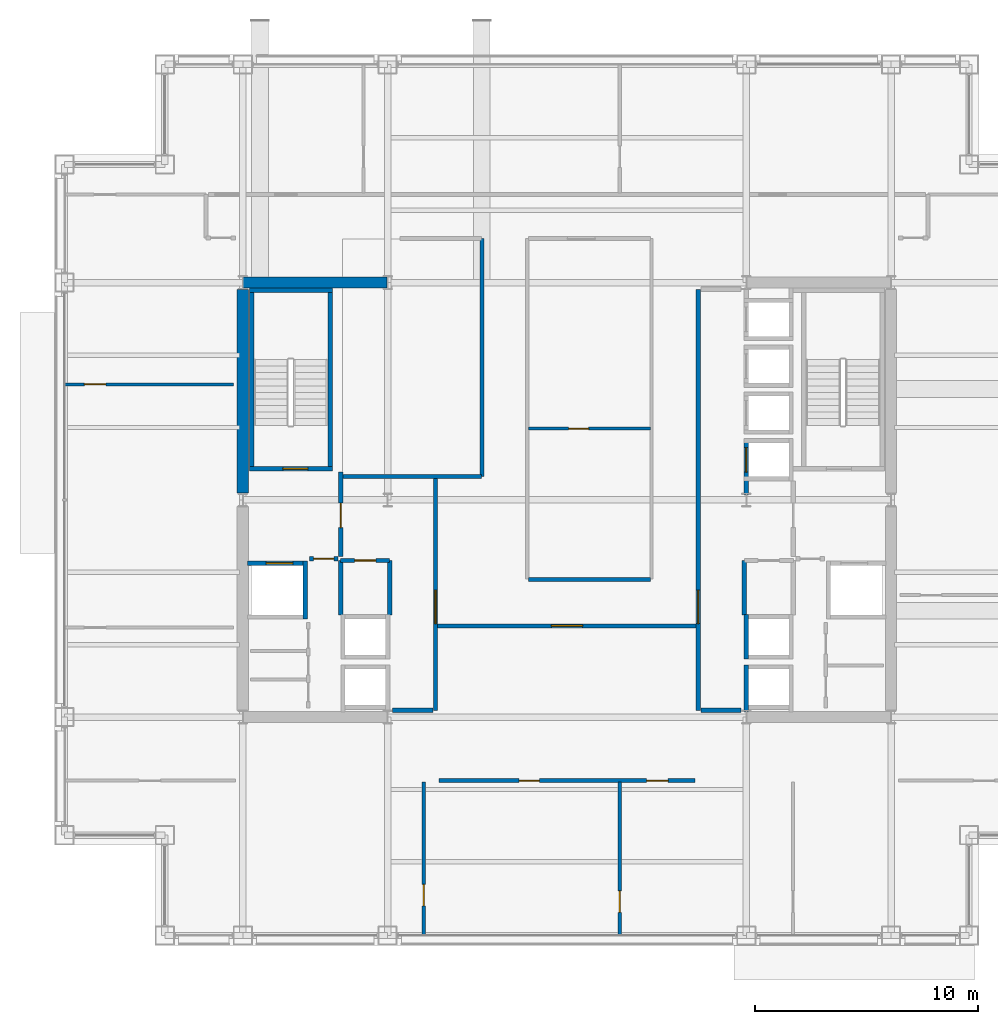
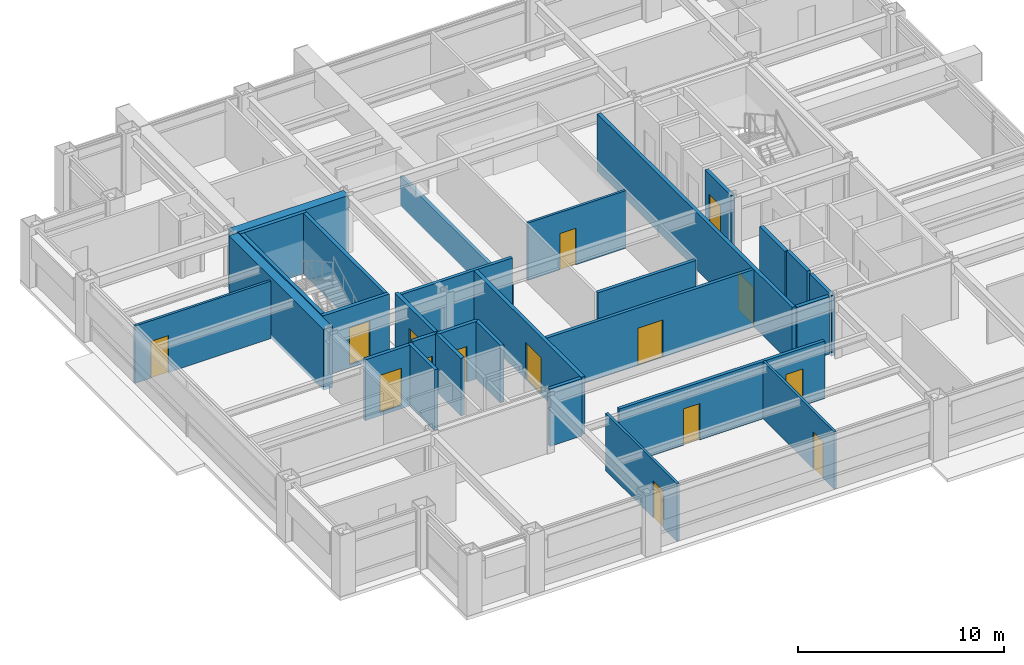
# One storey, part 31 of 34: 30 walls, 15 doors, 15 openings.
"""IFC4 building model written with IfcOpenShell, lengths in metres."""

from ifc_helpers import new_model, si_unit, direction, frame, frame_2d, origin, place, context, subcontext, project, spatial, rectangle, extrude, material, layer, layer_set, type_object, element, fill, save


model = new_model("IFC4")

# Units and contexts
model_context = context("Model", 3, precision=1e-05, world=origin(), true_north=direction((0.0, 1.0)))
body_context = subcontext(model_context, "Body", "Model", "MODEL_VIEW")
ifc_project = project(units=[si_unit("LENGTHUNIT", "METRE"), si_unit("AREAUNIT", "SQUARE_METRE"), si_unit("VOLUMEUNIT", "CUBIC_METRE"), si_unit("PLANEANGLEUNIT", "RADIAN"), si_unit("MASSUNIT", "GRAM", prefix="KILO")], contexts=[model_context])

# Site, building, storey
site_placement = place(None, origin())
site = spatial("IfcSite", under=ifc_project, at=site_placement, CompositionType="ELEMENT")
building_placement = place(site_placement, origin())
building = spatial("IfcBuilding", under=site, at=building_placement, Name="Brelmoor Portico Tower", CompositionType="ELEMENT")
storey_placement = place(building_placement, frame((0.0, 0.0, 117.0)))
storey = spatial("IfcBuildingStorey", under=building, at=storey_placement, Name="L30", CompositionType="ELEMENT", Elevation=117.0)

# Walls
ifc_material_1 = material(Name="Concrete C60", Category="concrete")
ifc_layer_1 = layer(ifc_material_1, 0.5)
ifc_layer_set_1 = layer_set([ifc_layer_1], Name="Concrete C60")
wall_type_1 = type_object("IfcWallType", Name="WL-CORE-500", PredefinedType="SHEAR", material=ifc_layer_set_1)
wall_1_placement = place(storey_placement, frame((-14.530029296875, 9.75, -0.199951171875), z_axis=(0.0, 0.0, 1.0), x_axis=(1.0, 0.0, 0.0)))
element("IfcWall", 1, at=wall_1_placement, inside=storey, type_object=wall_type_1, Name="L30 WC North Shear Wall", PredefinedType="SHEAR", context=body_context, shape_type="SweptSolid", body=[
    extrude(rectangle(XDim=6.4599609375, YDim=0.5, at=frame_2d((3.22998046875, 0.0))), origin(), (0.0, 0.0, 1.0), 3.599853515625),
])
wall_2_placement = place(storey_placement, frame((-14.550048828125, 0.300048828125, -0.199951171875), z_axis=(0.0, 0.0, 1.0), x_axis=(0.0, 1.0, 0.0)))
element("IfcWall", 2, at=wall_2_placement, inside=storey, type_object=wall_type_1, Name="L30 WC Outer North Shear Wall", PredefinedType="SHEAR", context=body_context, shape_type="SweptSolid", body=[
    extrude(rectangle(XDim=9.14990234375, YDim=0.5, at=frame_2d((4.574951171875, 0.0))), origin(), (0.0, 0.0, 1.0), 3.599853515625),
])

# Wall, opening, door
ifc_material_2 = material(Name="Insulated Stud Suite Partition", Category="gypsum")
ifc_layer_2 = layer(ifc_material_2, 0.139892578125)
ifc_layer_set_2 = layer_set([ifc_layer_2], Name="Insulated Stud Suite Partition")
wall_type_2 = type_object("IfcWallType", Name="WL-PART-140", PredefinedType="PARTITIONING", material=ifc_layer_set_2)
wall_3_placement = place(storey_placement, frame((-1.72998046875, 3.199951171875, 0.0), z_axis=(0.0, 0.0, 1.0), x_axis=(1.0, 0.0, 0.0)))
wall_3 = element("IfcWall", 3, at=wall_3_placement, inside=storey, type_object=wall_type_2, Name="L30 Central Pantry Divider", PredefinedType="PARTITIONING", context=body_context, shape_type="SweptSolid", body=[
    extrude(rectangle(XDim=5.47998046875, YDim=0.139892578125, at=frame_2d((2.739990234375, 0.0))), origin(), (0.0, 0.0, 1.0), 3.39990234375),
])
opening_1_placement = place(wall_3_placement, frame((1.800048828125, 0.0, 0.0)))
opening_1 = element("IfcOpeningElement", 4, at=opening_1_placement, cuts=wall_3, Name="Opening D-IN1", PredefinedType="OPENING", context=body_context, shape_type="SweptSolid", body=[
    extrude(rectangle(XDim=0.89990234375, YDim=2.14990234375, at=frame_2d((0.449951171875, 1.074951171875))), frame((0.0, 0.079833984375, 0.0), z_axis=(0.0, -1.0, 0.0), x_axis=(1.0, 0.0, 0.0)), (0.0, 0.0, 1.0), 0.159912109375),
])
ifc_material_3 = material(Name="Lacquered Timber Suite Door", Category="wood")
door_type_1 = type_object("IfcDoorType", Name="DR-INT-900", OperationType="NOTDEFINED", PredefinedType="DOOR", material=ifc_material_3)
door_1_placement = place(opening_1_placement, origin())
door_1 = element("IfcDoor", 5, at=door_1_placement, inside=storey, type_object=door_type_1, Name="D-1311 L30 Central Pantry Connecting Door", OperationType="SINGLE_SWING_RIGHT", OverallHeight=2.14990234375, OverallWidth=0.89990234375, PredefinedType="DOOR", context=body_context, shape_type="SweptSolid", body=[
    extrude(rectangle(XDim=0.89990234375, YDim=2.14990234375, at=frame_2d((0.449951171875, 1.074951171875))), frame((0.0, 0.02490234375, 0.0), z_axis=(0.0, -1.0, 0.0), x_axis=(1.0, 0.0, 0.0)), (0.0, 0.0, 1.0), 0.050048828125),
])
fill(opening_1, door_1)

wall_4_placement = place(storey_placement, frame((-6.42578125, -19.56005859375, 0.0), z_axis=(0.0, 0.0, 1.0), x_axis=(0.0, 1.0, 0.0)))
wall_4 = element("IfcWall", 6, at=wall_4_placement, inside=storey, type_object=wall_type_2, Name="L30 South Suite Partition 1", PredefinedType="PARTITIONING", context=body_context, shape_type="SweptSolid", body=[
    extrude(rectangle(XDim=6.900146484375, YDim=0.139892578125, at=frame_2d((3.4501953125, 0.0))), origin(), (0.0, 0.0, 1.0), 3.39990234375),
])
opening_2_placement = place(wall_4_placement, frame((1.340087890625, 0.0, 0.0)))
opening_2 = element("IfcOpeningElement", 7, at=opening_2_placement, cuts=wall_4, Name="Opening D-IN2", PredefinedType="OPENING", context=body_context, shape_type="SweptSolid", body=[
    extrude(rectangle(XDim=0.9599609375, YDim=2.179931640625, at=frame_2d((0.47998046875, 1.08984375))), frame((0.0, 0.079833984375, 0.0), z_axis=(0.0, -1.0, 0.0), x_axis=(1.0, 0.0, 0.0)), (0.0, 0.0, 1.0), 0.159912109375),
])
door_type_2 = type_object("IfcDoorType", Name="DR-INT-950", OperationType="NOTDEFINED", PredefinedType="DOOR", material=ifc_material_3)
door_2_placement = place(opening_2_placement, origin())
door_2 = element("IfcDoor", 8, at=door_2_placement, inside=storey, type_object=door_type_2, Name="D-1335 L30 South Suite Connecting Door 1", OperationType="SINGLE_SWING_LEFT", OverallHeight=2.179931640625, OverallWidth=0.9599609375, PredefinedType="DOOR", context=body_context, shape_type="SweptSolid", body=[
    extrude(rectangle(XDim=0.9599609375, YDim=2.179931640625, at=frame_2d((0.47998046875, 1.08984375))), frame((0.0, 0.02490234375, 0.0), z_axis=(0.0, -1.0, 0.0), x_axis=(1.0, 0.0, 0.0)), (0.0, 0.0, 1.0), 0.050048828125),
])
fill(opening_2, door_2)

wall_5_placement = place(storey_placement, frame((2.367431640625, -19.56005859375, 0.0), z_axis=(0.0, 0.0, 1.0), x_axis=(0.0, 1.0, 0.0)))
wall_5 = element("IfcWall", 9, at=wall_5_placement, inside=storey, type_object=wall_type_2, Name="L30 South Suite Partition 2", PredefinedType="PARTITIONING", context=body_context, shape_type="SweptSolid", body=[
    extrude(rectangle(XDim=6.900146484375, YDim=0.139892578125, at=frame_2d((3.4501953125, 0.0))), origin(), (0.0, 0.0, 1.0), 3.39990234375),
])
opening_3_placement = place(wall_5_placement, frame((1.050048828125, 0.0, 0.0)))
opening_3 = element("IfcOpeningElement", 10, at=opening_3_placement, cuts=wall_5, Name="Opening D-IN2", PredefinedType="OPENING", context=body_context, shape_type="SweptSolid", body=[
    extrude(rectangle(XDim=0.9599609375, YDim=2.179931640625, at=frame_2d((0.47998046875, 1.08984375))), frame((0.0, 0.079833984375, 0.0), z_axis=(0.0, -1.0, 0.0), x_axis=(1.0, 0.0, 0.0)), (0.0, 0.0, 1.0), 0.159912109375),
])
door_3_placement = place(opening_3_placement, origin())
door_3 = element("IfcDoor", 11, at=door_3_placement, inside=storey, type_object=door_type_2, Name="D-1336 L30 South Suite Connecting Door 2", OperationType="SINGLE_SWING_RIGHT", OverallHeight=2.179931640625, OverallWidth=0.9599609375, PredefinedType="DOOR", context=body_context, shape_type="SweptSolid", body=[
    extrude(rectangle(XDim=0.9599609375, YDim=2.179931640625, at=frame_2d((0.47998046875, 1.08984375))), frame((0.0, 0.02490234375, 0.0), z_axis=(0.0, -1.0, 0.0), x_axis=(1.0, 0.0, 0.0)), (0.0, 0.0, 1.0), 0.050048828125),
])
fill(opening_3, door_3)

wall_6_placement = place(storey_placement, frame((-22.56005859375, 5.1826171875, 0.0), z_axis=(0.0, 0.0, 1.0), x_axis=(1.0, 0.0, 0.0)))
wall_6 = element("IfcWall", 12, at=wall_6_placement, inside=storey, type_object=wall_type_2, Name="L30 W Wing Partition 2", PredefinedType="PARTITIONING", context=body_context, shape_type="SweptSolid", body=[
    extrude(rectangle(XDim=7.60009765625, YDim=0.139892578125, at=frame_2d((3.800048828125, 0.0))), origin(), (0.0, 0.0, 1.0), 3.39990234375),
])
opening_4_placement = place(wall_6_placement, frame((0.89990234375, 0.0, 0.0)))
opening_4 = element("IfcOpeningElement", 13, at=opening_4_placement, cuts=wall_6, Name="Opening D-IN2", PredefinedType="OPENING", context=body_context, shape_type="SweptSolid", body=[
    extrude(rectangle(XDim=0.9599609375, YDim=2.179931640625, at=frame_2d((0.47998046875, 1.08984375))), frame((0.0, 0.079833984375, 0.0), z_axis=(0.0, -1.0, 0.0), x_axis=(1.0, 0.0, 0.0)), (0.0, 0.0, 1.0), 0.159912109375),
])
door_4_placement = place(opening_4_placement, origin())
door_4 = element("IfcDoor", 14, at=door_4_placement, inside=storey, type_object=door_type_2, Name="D-1346 L30 W Wing Suite Connecting Door 2", OperationType="SINGLE_SWING_RIGHT", OverallHeight=2.179931640625, OverallWidth=0.9599609375, PredefinedType="DOOR", context=body_context, shape_type="SweptSolid", body=[
    extrude(rectangle(XDim=0.9599609375, YDim=2.179931640625, at=frame_2d((0.47998046875, 1.08984375))), frame((0.0, 0.02490234375, 0.0), z_axis=(0.0, -1.0, 0.0), x_axis=(1.0, 0.0, 0.0)), (0.0, 0.0, 1.0), 0.050048828125),
])
fill(opening_4, door_4)

# Walls
ifc_material_4 = material(Name="Acoustic Corridor Fire Partition", Category="gypsum")
ifc_layer_3 = layer(ifc_material_4, 0.179931640625)
ifc_layer_set_3 = layer_set([ifc_layer_3], Name="Acoustic Corridor Fire Partition")
wall_type_3 = type_object("IfcWallType", Name="WL-PART-180", PredefinedType="PARTITIONING", material=ifc_layer_set_3)
wall_7_placement = place(storey_placement, frame((-10.050048828125, 1.050048828125, 0.0), z_axis=(0.0, 0.0, 1.0), x_axis=(1.0, 0.0, 0.0)))
element("IfcWall", 15, at=wall_7_placement, inside=storey, type_object=wall_type_3, Name="L30 Reclaimed West Suite South Wall", PredefinedType="PARTITIONING", context=body_context, shape_type="SweptSolid", body=[
    extrude(rectangle(XDim=6.2099609375, YDim=0.179931640625, at=frame_2d((3.10498046875, 0.0))), origin(), (0.0, 0.0, 1.0), 3.39990234375),
])
wall_8_placement = place(storey_placement, frame((-3.820068359375, 1.050048828125, 0.0), z_axis=(0.0, 0.0, 1.0), x_axis=(0.0, 1.0, 0.0)))
element("IfcWall", 16, at=wall_8_placement, inside=storey, type_object=wall_type_3, Name="L30 Reclaimed West Suite East Wall", PredefinedType="PARTITIONING", context=body_context, shape_type="SweptSolid", body=[
    extrude(rectangle(XDim=10.679931640625, YDim=0.179931640625, at=frame_2d((5.33984375, 0.0))), origin(), (0.0, 0.0, 1.0), 1.739990234375),
])
wall_9_placement = place(storey_placement, frame((-1.72998046875, -3.580078125, 0.0), z_axis=(0.0, 0.0, 1.0), x_axis=(1.0, 0.0, 0.0)))
element("IfcWall", 17, at=wall_9_placement, inside=storey, type_object=wall_type_3, Name="L30 Central Studio South Wall", PredefinedType="PARTITIONING", context=body_context, shape_type="SweptSolid", body=[
    extrude(rectangle(XDim=5.47998046875, YDim=0.179931640625, at=frame_2d((2.739990234375, 0.0))), origin(), (0.0, 0.0, 1.0), 3.39990234375),
])

# Wall, opening, door
wall_10_placement = place(storey_placement, frame((-5.800048828125, -5.64990234375, 0.0), z_axis=(0.0, 0.0, 1.0), x_axis=(1.0, 0.0, 0.0)))
wall_10 = element("IfcWall", 18, at=wall_10_placement, inside=storey, type_object=wall_type_3, Name="L30 South Hub Corridor Wall", PredefinedType="PARTITIONING", context=body_context, shape_type="SweptSolid", body=[
    extrude(rectangle(XDim=11.60009765625, YDim=0.179931640625, at=frame_2d((5.800048828125, 0.0))), origin(), (0.0, 0.0, 1.0), 3.39990234375),
])
opening_5_placement = place(wall_10_placement, frame((5.10009765625, 0.0, 0.0)))
opening_5 = element("IfcOpeningElement", 19, at=opening_5_placement, cuts=wall_10, Name="Opening D-SU2", PredefinedType="OPENING", context=body_context, shape_type="SweptSolid", body=[
    extrude(rectangle(XDim=1.39990234375, YDim=2.199951171875, at=frame_2d((0.699951171875, 1.10009765625))), frame((0.0, 0.099853515625, 0.0), z_axis=(0.0, -1.0, 0.0), x_axis=(1.0, 0.0, 0.0)), (0.0, 0.0, 1.0), 0.199951171875),
])
ifc_material_5 = material(Name="Double-Leaf Acoustic Suite Door", Category="timber")
door_type_3 = type_object("IfcDoorType", Name="DR-SUITE-1400", OperationType="NOTDEFINED", PredefinedType="DOOR", material=ifc_material_5)
door_5_placement = place(opening_5_placement, origin())
door_5 = element("IfcDoor", 20, at=door_5_placement, inside=storey, type_object=door_type_3, Name="D-1310 L30 South Reception Hub Door", OperationType="DOUBLE_DOOR_SINGLE_SWING", OverallHeight=2.199951171875, OverallWidth=1.39990234375, PredefinedType="DOOR", context=body_context, shape_type="SweptSolid", body=[
    extrude(rectangle(XDim=1.39990234375, YDim=2.199951171875, at=frame_2d((0.699951171875, 1.10009765625))), frame((0.0, 0.02490234375, 0.0), z_axis=(0.0, -1.0, 0.0), x_axis=(1.0, 0.0, 0.0)), (0.0, 0.0, 1.0), 0.050048828125),
])
fill(opening_5, door_5)

# Wall, openings, doors
wall_11_placement = place(storey_placement, frame((-5.75, -12.60009765625, 0.0), z_axis=(0.0, 0.0, 1.0), x_axis=(1.0, 0.0, 0.0)))
wall_11 = element("IfcWall", 21, at=wall_11_placement, inside=storey, type_object=wall_type_3, Name="L30 South Corridor Partition", PredefinedType="PARTITIONING", context=body_context, shape_type="SweptSolid", body=[
    extrude(rectangle(XDim=11.5, YDim=0.179931640625, at=frame_2d((5.75, 0.0))), origin(), (0.0, 0.0, 1.0), 3.39990234375),
])
opening_6_placement = place(wall_11_placement, frame((3.608642578125, 0.0, 0.0)))
opening_6 = element("IfcOpeningElement", 22, at=opening_6_placement, cuts=wall_11, Name="Opening D-IN1", PredefinedType="OPENING", context=body_context, shape_type="SweptSolid", body=[
    extrude(rectangle(XDim=0.89990234375, YDim=2.14990234375, at=frame_2d((0.449951171875, 1.074951171875))), frame((0.0, 0.099853515625, 0.0), z_axis=(0.0, -1.0, 0.0), x_axis=(1.0, 0.0, 0.0)), (0.0, 0.0, 1.0), 0.199951171875),
])
opening_7_placement = place(wall_11_placement, frame((9.32861328125, 0.0, 0.0)))
opening_7 = element("IfcOpeningElement", 23, at=opening_7_placement, cuts=wall_11, Name="Opening D-IN2", PredefinedType="OPENING", context=body_context, shape_type="SweptSolid", body=[
    extrude(rectangle(XDim=0.9599609375, YDim=2.179931640625, at=frame_2d((0.47998046875, 1.08984375))), frame((0.0, 0.099853515625, 0.0), z_axis=(0.0, -1.0, 0.0), x_axis=(1.0, 0.0, 0.0)), (0.0, 0.0, 1.0), 0.199951171875),
])
door_6_placement = place(opening_6_placement, origin())
door_6 = element("IfcDoor", 24, at=door_6_placement, inside=storey, type_object=door_type_1, Name="D-1333 L30 South Project Consultation Room 2 Door", OperationType="SINGLE_SWING_RIGHT", OverallHeight=2.14990234375, OverallWidth=0.89990234375, PredefinedType="DOOR", context=body_context, shape_type="SweptSolid", body=[
    extrude(rectangle(XDim=0.89990234375, YDim=2.14990234375, at=frame_2d((0.449951171875, 1.074951171875))), frame((0.0, 0.02490234375, 0.0), z_axis=(0.0, -1.0, 0.0), x_axis=(1.0, 0.0, 0.0)), (0.0, 0.0, 1.0), 0.050048828125),
])
fill(opening_6, door_6)
door_7_placement = place(opening_7_placement, origin())
door_7 = element("IfcDoor", 25, at=door_7_placement, inside=storey, type_object=door_type_2, Name="D-1334 L30 South Open-Plan Office 3 Door", OperationType="SINGLE_SWING_LEFT", OverallHeight=2.179931640625, OverallWidth=0.9599609375, PredefinedType="DOOR", context=body_context, shape_type="SweptSolid", body=[
    extrude(rectangle(XDim=0.9599609375, YDim=2.179931640625, at=frame_2d((0.47998046875, 1.08984375))), frame((0.0, 0.02490234375, 0.0), z_axis=(0.0, -1.0, 0.0), x_axis=(1.0, 0.0, 0.0)), (0.0, 0.0, 1.0), 0.050048828125),
])
fill(opening_7, door_7)

# Wall, opening, door
ifc_material_6 = material(Name="Double-Stud Gypsum Fire Partition", Category="gypsum")
ifc_layer_4 = layer(ifc_material_6, 0.199951171875)
ifc_layer_set_4 = layer_set([ifc_layer_4], Name="Double-Stud Gypsum Fire Partition")
wall_type_4 = type_object("IfcWallType", Name="WL-PART-200", PredefinedType="PARTITIONING", material=ifc_layer_set_4)
wall_12_placement = place(storey_placement, frame((-5.89990234375, -9.449951171875, 0.0), z_axis=(0.0, 0.0, 1.0), x_axis=(0.0, 1.0, 0.0)))
wall_12 = element("IfcWall", 26, at=wall_12_placement, inside=storey, type_object=wall_type_4, Name="L30 W Core Lobby Compartment Wall", PredefinedType="PARTITIONING", context=body_context, shape_type="SweptSolid", body=[
    extrude(rectangle(XDim=10.5, YDim=0.199951171875, at=frame_2d((5.25, 0.0))), origin(), (0.0, 0.0, 1.0), 3.39990234375),
])
opening_8_placement = place(wall_12_placement, frame((3.89990234375, 0.0, 0.0)))
opening_8 = element("IfcOpeningElement", 27, at=opening_8_placement, cuts=wall_12, Name="Opening D-LB1", PredefinedType="OPENING", context=body_context, shape_type="SweptSolid", body=[
    extrude(rectangle(XDim=1.5, YDim=2.199951171875, at=frame_2d((0.75, 1.10009765625))), frame((0.0, 0.10986328125, 0.0), z_axis=(0.0, -1.0, 0.0), x_axis=(1.0, 0.0, 0.0)), (0.0, 0.0, 1.0), 0.219970703125),
])
ifc_material_7 = material(Name="Double-Leaf Glazed Steel Fire Door", Category="steel")
door_type_4 = type_object("IfcDoorType", Name="DR-LOBBY-1500", OperationType="NOTDEFINED", PredefinedType="DOOR", material=ifc_material_7)
door_8_placement = place(opening_8_placement, origin())
door_8 = element("IfcDoor", 28, at=door_8_placement, inside=storey, type_object=door_type_4, Name="D-1325 L30 W Lift Lobby Main Door", OperationType="DOUBLE_DOOR_SINGLE_SWING", OverallHeight=2.199951171875, OverallWidth=1.5, PredefinedType="DOOR", context=body_context, shape_type="SweptSolid", body=[
    extrude(rectangle(XDim=1.5, YDim=2.199951171875, at=frame_2d((0.75, 1.10009765625))), frame((0.0, 0.02490234375, 0.0), z_axis=(0.0, -1.0, 0.0), x_axis=(1.0, 0.0, 0.0)), (0.0, 0.0, 1.0), 0.050048828125),
])
fill(opening_8, door_8)

# Wall
wall_13_placement = place(storey_placement, frame((-6.02001953125, -9.449951171875, 0.0), z_axis=(0.0, 0.0, 1.0), x_axis=(-1.0, 0.0, 0.0)))
element("IfcWall", 29, at=wall_13_placement, inside=storey, type_object=wall_type_4, Name="L30 W Lift Lobby South End Wall", PredefinedType="PARTITIONING", context=body_context, shape_type="SweptSolid", body=[
    extrude(rectangle(XDim=1.800048828125, YDim=0.199951171875, at=frame_2d((0.89990234375, 0.0))), origin(), (0.0, 0.0, 1.0), 3.39990234375),
])

# Wall, opening, door
wall_14_placement = place(storey_placement, frame((-10.159912109375, -2.550048828125, 0.0), z_axis=(0.0, 0.0, 1.0), x_axis=(0.0, 1.0, 0.0)))
wall_14 = element("IfcWall", 30, at=wall_14_placement, inside=storey, type_object=wall_type_4, Name="L30 W Firefighting Lobby Wall", PredefinedType="PARTITIONING", context=body_context, shape_type="SweptSolid", body=[
    extrude(rectangle(XDim=3.800048828125, YDim=0.199951171875, at=frame_2d((1.89990234375, 0.0))), origin(), (0.0, 0.0, 1.0), 3.39990234375),
])
opening_9_placement = place(wall_14_placement, frame((1.300048828125, 0.0, 0.0)))
opening_9 = element("IfcOpeningElement", 31, at=opening_9_placement, cuts=wall_14, Name="Opening D-FR1", PredefinedType="OPENING", context=body_context, shape_type="SweptSolid", body=[
    extrude(rectangle(XDim=1.10009765625, YDim=2.14990234375, at=frame_2d((0.550048828125, 1.074951171875))), frame((0.0, 0.10986328125, 0.0), z_axis=(0.0, -1.0, 0.0), x_axis=(1.0, 0.0, 0.0)), (0.0, 0.0, 1.0), 0.219970703125),
])
ifc_material_8 = material(Name="Painted Galvanised Steel Fire Door", Category="steel")
door_type_5 = type_object("IfcDoorType", Name="DR-FIRE-1100", OperationType="NOTDEFINED", PredefinedType="DOOR", material=ifc_material_8)
door_9_placement = place(opening_9_placement, origin())
door_9 = element("IfcDoor", 32, at=door_9_placement, inside=storey, type_object=door_type_5, Name="D-1323 L30 W Firefighting Lobby Door", OperationType="SINGLE_SWING_LEFT", OverallHeight=2.14990234375, OverallWidth=1.10009765625, PredefinedType="DOOR", context=body_context, shape_type="SweptSolid", body=[
    extrude(rectangle(XDim=1.10009765625, YDim=2.14990234375, at=frame_2d((0.550048828125, 1.074951171875))), frame((0.0, 0.02490234375, 0.0), z_axis=(0.0, -1.0, 0.0), x_axis=(1.0, 0.0, 0.0)), (0.0, 0.0, 1.0), 0.050048828125),
])
fill(opening_9, door_9)

wall_15_placement = place(storey_placement, frame((-10.280029296875, -2.64990234375, 0.0), z_axis=(0.0, 0.0, 1.0), x_axis=(-1.0, 0.0, 0.0)))
wall_15 = element("IfcWall", 33, at=wall_15_placement, inside=storey, type_object=wall_type_4, Name="L30 W Firefighting Lobby South Wall", PredefinedType="PARTITIONING", context=body_context, shape_type="SweptSolid", body=[
    extrude(rectangle(XDim=1.27001953125, YDim=0.199951171875, at=frame_2d((0.635009765625, 0.0))), origin(), (0.0, 0.0, 1.0), 3.39990234375),
])
opening_10_placement = place(wall_15_placement, frame((0.18505859375, 0.0, 0.0)))
opening_10 = element("IfcOpeningElement", 34, at=opening_10_placement, cuts=wall_15, Name="Opening D-IN1", PredefinedType="OPENING", context=body_context, shape_type="SweptSolid", body=[
    extrude(rectangle(XDim=0.89990234375, YDim=2.14990234375, at=frame_2d((0.449951171875, 1.074951171875))), frame((0.0, 0.10986328125, 0.0), z_axis=(0.0, -1.0, 0.0), x_axis=(1.0, 0.0, 0.0)), (0.0, 0.0, 1.0), 0.219970703125),
])
door_10_placement = place(opening_10_placement, origin())
door_10 = element("IfcDoor", 35, at=door_10_placement, inside=storey, type_object=door_type_1, Name="D-1316 L30 W Core Service Vestibule Door", OperationType="SINGLE_SWING_RIGHT", OverallHeight=2.14990234375, OverallWidth=0.89990234375, PredefinedType="DOOR", context=body_context, shape_type="SweptSolid", body=[
    extrude(rectangle(XDim=0.89990234375, YDim=2.14990234375, at=frame_2d((0.449951171875, 1.074951171875))), frame((0.0, 0.02490234375, 0.0), z_axis=(0.0, -1.0, 0.0), x_axis=(1.0, 0.0, 0.0)), (0.0, 0.0, 1.0), 0.050048828125),
])
fill(opening_10, door_10)

wall_16_placement = place(storey_placement, frame((-7.9599609375, -2.719970703125, 0.0), z_axis=(0.0, 0.0, 1.0), x_axis=(-1.0, 0.0, 0.0)))
wall_16 = element("IfcWall", 36, at=wall_16_placement, inside=storey, type_object=wall_type_4, Name="L30 W Electrical Switchgear Closet Wall", PredefinedType="PARTITIONING", context=body_context, shape_type="SweptSolid", body=[
    extrude(rectangle(XDim=2.199951171875, YDim=0.199951171875, at=frame_2d((1.10009765625, 0.0))), origin(), (0.0, 0.0, 1.0), 3.39990234375),
])
opening_11_placement = place(wall_16_placement, frame((0.6201171875, 0.0, 0.0)))
opening_11 = element("IfcOpeningElement", 37, at=opening_11_placement, cuts=wall_16, Name="Opening D-FR4", PredefinedType="OPENING", context=body_context, shape_type="SweptSolid", body=[
    extrude(rectangle(XDim=0.949951171875, YDim=2.10009765625, at=frame_2d((0.47509765625, 1.050048828125))), frame((0.0, 0.10986328125, 0.0), z_axis=(0.0, -1.0, 0.0), x_axis=(1.0, 0.0, 0.0)), (0.0, 0.0, 1.0), 0.219970703125),
])
ifc_material_9 = material(Name="Painted Galvanised Steel Riser Door", Category="steel")
door_type_6 = type_object("IfcDoorType", Name="DR-FIRE-950", OperationType="NOTDEFINED", PredefinedType="DOOR", material=ifc_material_9)
door_11_placement = place(opening_11_placement, origin())
door_11 = element("IfcDoor", 38, at=door_11_placement, inside=storey, type_object=door_type_6, Name="D-1321 L30 W Electrical Switchgear Closet Door", OperationType="SINGLE_SWING_LEFT", OverallHeight=2.10009765625, OverallWidth=0.949951171875, PredefinedType="DOOR", context=body_context, shape_type="SweptSolid", body=[
    extrude(rectangle(XDim=0.949951171875, YDim=2.10009765625, at=frame_2d((0.47509765625, 1.050048828125))), frame((0.0, 0.02490234375, 0.0), z_axis=(0.0, -1.0, 0.0), x_axis=(1.0, 0.0, 0.0)), (0.0, 0.0, 1.0), 0.050048828125),
])
fill(opening_11, door_11)

# Walls
for number, where, z_axis, x_axis, name in (
    (39, (-7.9599609375, -5.159912109375, 0.0), (0.0, 0.0, 1.0), (0.0, 1.0, 0.0), "L30 W Electrical Switchgear Closet Inner Wall"),
    (40, (-10.159912109375, -5.159912109375, 0.0), (0.0, 0.0, 1.0), (0.0, 1.0, 0.0), "L30 W Electrical Switchgear Closet Outer Wall"),
):
    element("IfcWall", number, at=place(storey_placement, frame(where, z_axis=z_axis, x_axis=x_axis)), inside=storey, type_object=wall_type_4, Name=name, PredefinedType="PARTITIONING", context=body_context, shape_type="SweptSolid", body=[
        extrude(rectangle(XDim=2.43994140625, YDim=0.199951171875, at=frame_2d((1.219970703125, 0.0))), origin(), (0.0, 0.0, 1.0), 3.39990234375),
    ])

# Wall, opening, door
wall_17_placement = place(storey_placement, frame((5.89990234375, -9.449951171875, 0.0), z_axis=(0.0, 0.0, 1.0), x_axis=(0.0, 1.0, 0.0)))
wall_17 = element("IfcWall", 41, at=wall_17_placement, inside=storey, type_object=wall_type_4, Name="L30 E Core Lobby Compartment Wall", PredefinedType="PARTITIONING", context=body_context, shape_type="SweptSolid", body=[
    extrude(rectangle(XDim=18.89990234375, YDim=0.199951171875, at=frame_2d((9.449951171875, 0.0))), origin(), (0.0, 0.0, 1.0), 3.39990234375),
])
opening_12_placement = place(wall_17_placement, frame((3.89990234375, 0.0, 0.0)))
opening_12 = element("IfcOpeningElement", 42, at=opening_12_placement, cuts=wall_17, Name="Opening D-LB1", PredefinedType="OPENING", context=body_context, shape_type="SweptSolid", body=[
    extrude(rectangle(XDim=1.5, YDim=2.199951171875, at=frame_2d((0.75, 1.10009765625))), frame((0.0, 0.10986328125, 0.0), z_axis=(0.0, -1.0, 0.0), x_axis=(1.0, 0.0, 0.0)), (0.0, 0.0, 1.0), 0.219970703125),
])
door_12_placement = place(opening_12_placement, origin())
door_12 = element("IfcDoor", 43, at=door_12_placement, inside=storey, type_object=door_type_4, Name="D-1324 L30 E Lift Lobby Main Door", OperationType="DOUBLE_DOOR_SINGLE_SWING", OverallHeight=2.199951171875, OverallWidth=1.5, PredefinedType="DOOR", context=body_context, shape_type="SweptSolid", body=[
    extrude(rectangle(XDim=1.5, YDim=2.199951171875, at=frame_2d((0.75, 1.10009765625))), frame((0.0, 0.02490234375, 0.0), z_axis=(0.0, -1.0, 0.0), x_axis=(1.0, 0.0, 0.0)), (0.0, 0.0, 1.0), 0.050048828125),
])
fill(opening_12, door_12)

# Walls
wall_18_placement = place(storey_placement, frame((6.02001953125, -9.449951171875, 0.0), z_axis=(0.0, 0.0, 1.0), x_axis=(1.0, 0.0, 0.0)))
element("IfcWall", 44, at=wall_18_placement, inside=storey, type_object=wall_type_4, Name="L30 E Lift Lobby South End Wall", PredefinedType="PARTITIONING", context=body_context, shape_type="SweptSolid", body=[
    extrude(rectangle(XDim=1.800048828125, YDim=0.199951171875, at=frame_2d((0.89990234375, 0.0))), origin(), (0.0, 0.0, 1.0), 3.39990234375),
])
wall_19_placement = place(storey_placement, frame((7.9599609375, -5.159912109375, 0.0), z_axis=(0.0, 0.0, 1.0), x_axis=(0.0, 1.0, 0.0)))
element("IfcWall", 45, at=wall_19_placement, inside=storey, type_object=wall_type_4, Name="L30 E Electrical Switchgear Closet Inner Wall", PredefinedType="PARTITIONING", context=body_context, shape_type="SweptSolid", body=[
    extrude(rectangle(XDim=2.43994140625, YDim=0.199951171875, at=frame_2d((1.219970703125, 0.0))), origin(), (0.0, 0.0, 1.0), 3.39990234375),
])

# Wall, opening, door
ifc_material_10 = material(Name="Precast Concrete C40", Category="concrete")
ifc_layer_5 = layer(ifc_material_10, 0.18994140625)
ifc_layer_set_5 = layer_set([ifc_layer_5], Name="Precast Concrete C40")
wall_type_5 = type_object("IfcWallType", Name="WL-SHAFT-180", PredefinedType="SOLIDWALL", material=ifc_layer_set_5)
wall_20_placement = place(storey_placement, frame((8.044921875, 0.2099609375, -0.199951171875), z_axis=(0.0, 0.0, 1.0), x_axis=(0.0, 1.0, 0.0)))
wall_20 = element("IfcWall", 46, at=wall_20_placement, inside=storey, type_object=wall_type_5, Name="L30 Lift PM1 Hoistway Front Wall", PredefinedType="SOLIDWALL", context=body_context, shape_type="SweptSolid", body=[
    extrude(rectangle(XDim=2.5400390625, YDim=0.18994140625, at=frame_2d((1.27001953125, 0.0))), origin(), (0.0, 0.0, 1.0), 3.599853515625),
])
opening_13_placement = place(wall_20_placement, frame((1.0400390625, 0.0, 0.199951171875)))
opening_13 = element("IfcOpeningElement", 47, at=opening_13_placement, cuts=wall_20, Name="Opening LD-01", PredefinedType="OPENING", context=body_context, shape_type="SweptSolid", body=[
    extrude(rectangle(XDim=1.10009765625, YDim=2.199951171875, at=frame_2d((0.550048828125, 1.10009765625))), frame((0.0, 0.10498046875, 0.0), z_axis=(0.0, -1.0, 0.0), x_axis=(1.0, 0.0, 0.0)), (0.0, 0.0, 1.0), 0.2099609375),
])
ifc_material_11 = material(Name="Brushed Stainless Steel Sliding Lift Door", Category="steel")
door_type_7 = type_object("IfcDoorType", Name="DR-LIFT-1100", OperationType="NOTDEFINED", PredefinedType="DOOR", material=ifc_material_11)
door_13_placement = place(opening_13_placement, origin())
door_13 = element("IfcDoor", 48, at=door_13_placement, inside=storey, type_object=door_type_7, Name="D-1349 L30 Lift PM1 Sliding Landing Door", OperationType="SLIDING_TO_LEFT", OverallHeight=2.199951171875, OverallWidth=1.10009765625, PredefinedType="DOOR", context=body_context, shape_type="SweptSolid", body=[
    extrude(rectangle(XDim=1.10009765625, YDim=2.199951171875, at=frame_2d((0.550048828125, 1.10009765625))), frame((0.0, 0.02490234375, 0.0), z_axis=(0.0, -1.0, 0.0), x_axis=(1.0, 0.0, 0.0)), (0.0, 0.0, 1.0), 0.050048828125),
])
fill(opening_13, door_13)

# Walls
wall_21_placement = place(storey_placement, frame((8.044921875, -9.52001953125, -0.199951171875), z_axis=(0.0, 0.0, 1.0), x_axis=(0.0, 1.0, 0.0)))
element("IfcWall", 49, at=wall_21_placement, inside=storey, type_object=wall_type_5, Name="L30 Lift PH3 Hoistway Front Wall", PredefinedType="SOLIDWALL", context=body_context, shape_type="SweptSolid", body=[
    extrude(rectangle(XDim=2.1201171875, YDim=0.18994140625, at=frame_2d((1.06005859375, 0.0))), origin(), (0.0, 0.0, 1.0), 3.599853515625),
])
wall_22_placement = place(storey_placement, frame((8.044921875, -7.14990234375, -0.199951171875), z_axis=(0.0, 0.0, 1.0), x_axis=(0.0, 1.0, 0.0)))
element("IfcWall", 50, at=wall_22_placement, inside=storey, type_object=wall_type_5, Name="L30 Lift PH4 Hoistway Front Wall", PredefinedType="SOLIDWALL", context=body_context, shape_type="SweptSolid", body=[
    extrude(rectangle(XDim=2.0, YDim=0.18994140625, at=frame_2d((1.0, 0.0))), origin(), (0.0, 0.0, 1.0), 3.599853515625),
])

# Wall, opening, door
wall_23_placement = place(storey_placement, frame((-14.330078125, -2.844970703125, -0.199951171875), z_axis=(0.0, 0.0, 1.0), x_axis=(1.0, 0.0, 0.0)))
wall_23 = element("IfcWall", 51, at=wall_23_placement, inside=storey, type_object=wall_type_5, Name="L30 Lift FF1 Hoistway Front Wall", PredefinedType="SOLIDWALL", context=body_context, shape_type="SweptSolid", body=[
    extrude(rectangle(XDim=2.68017578125, YDim=0.18994140625, at=frame_2d((1.340087890625, 0.0))), origin(), (0.0, 0.0, 1.0), 3.599853515625),
])
opening_14_placement = place(wall_23_placement, frame((0.830078125, 0.0, 0.199951171875)))
opening_14 = element("IfcOpeningElement", 52, at=opening_14_placement, cuts=wall_23, Name="Opening LD-02", PredefinedType="OPENING", context=body_context, shape_type="SweptSolid", body=[
    extrude(rectangle(XDim=1.199951171875, YDim=2.199951171875, at=frame_2d((0.60009765625, 1.10009765625))), frame((0.0, 0.10498046875, 0.0), z_axis=(0.0, -1.0, 0.0), x_axis=(1.0, 0.0, 0.0)), (0.0, 0.0, 1.0), 0.2099609375),
])
ifc_material_12 = material(Name="Brushed Stainless Steel Firefighting Lift Door", Category="steel")
door_type_8 = type_object("IfcDoorType", Name="DR-LIFT-1200", OperationType="NOTDEFINED", PredefinedType="DOOR", material=ifc_material_12)
door_14_placement = place(opening_14_placement, origin())
door_14 = element("IfcDoor", 53, at=door_14_placement, inside=storey, type_object=door_type_8, Name="D-1347 L30 Lift FF1 Sliding Landing Door", OperationType="SLIDING_TO_LEFT", OverallHeight=2.199951171875, OverallWidth=1.199951171875, PredefinedType="DOOR", context=body_context, shape_type="SweptSolid", body=[
    extrude(rectangle(XDim=1.199951171875, YDim=2.199951171875, at=frame_2d((0.60009765625, 1.10009765625))), frame((0.0, 0.02490234375, 0.0), z_axis=(0.0, -1.0, 0.0), x_axis=(1.0, 0.0, 0.0)), (0.0, 0.0, 1.0), 0.050048828125),
])
fill(opening_14, door_14)

# Walls
wall_24_placement = place(storey_placement, frame((-11.7451171875, -5.35009765625, -0.199951171875), z_axis=(0.0, 0.0, 1.0), x_axis=(0.0, 1.0, 0.0)))
element("IfcWall", 54, at=wall_24_placement, inside=storey, type_object=wall_type_5, Name="L30 Firefighting Lift FF1 Inner Wall", PredefinedType="SOLIDWALL", context=body_context, shape_type="SweptSolid", body=[
    extrude(rectangle(XDim=2.60009765625, YDim=0.18994140625, at=frame_2d((1.300048828125, 0.0))), origin(), (0.0, 0.0, 1.0), 3.599853515625),
])
ifc_material_13 = material(Name="Concrete C40", Category="concrete")
ifc_layer_6 = layer(ifc_material_13, 0.199951171875)
ifc_layer_set_6 = layer_set([ifc_layer_6], Name="Concrete C40")
wall_type_6 = type_object("IfcWallType", Name="WL-SHAFT-RC200", PredefinedType="SOLIDWALL", material=ifc_layer_set_6)
wall_25_placement = place(storey_placement, frame((-14.14990234375, 1.5, -0.199951171875), z_axis=(0.0, 0.0, 1.0), x_axis=(0.0, 1.0, 0.0)))
element("IfcWall", 55, at=wall_25_placement, inside=storey, type_object=wall_type_6, Name="L30 ST-W Structural Stair Wall Outer", PredefinedType="SOLIDWALL", context=body_context, shape_type="SweptSolid", body=[
    extrude(rectangle(XDim=7.800048828125, YDim=0.199951171875, at=frame_2d((3.89990234375, 0.0))), origin(), (0.0, 0.0, 1.0), 3.599853515625),
])

# Wall, opening, door
wall_26_placement = place(storey_placement, frame((-14.25, 1.39990234375, -0.199951171875), z_axis=(0.0, 0.0, 1.0), x_axis=(1.0, 0.0, 0.0)))
wall_26 = element("IfcWall", 56, at=wall_26_placement, inside=storey, type_object=wall_type_6, Name="L30 ST-W Structural Stair Wall S", PredefinedType="SOLIDWALL", context=body_context, shape_type="SweptSolid", body=[
    extrude(rectangle(XDim=3.719970703125, YDim=0.199951171875, at=frame_2d((1.85986328125, 0.0))), origin(), (0.0, 0.0, 1.0), 3.599853515625),
])
opening_15_placement = place(wall_26_placement, frame((1.5, 0.0, 0.199951171875)))
opening_15 = element("IfcOpeningElement", 57, at=opening_15_placement, cuts=wall_26, Name="Opening D-ST1", PredefinedType="OPENING", context=body_context, shape_type="SweptSolid", body=[
    extrude(rectangle(XDim=1.1201171875, YDim=2.179931640625, at=frame_2d((0.56005859375, 1.08984375))), frame((0.0, 0.10986328125, 0.0), z_axis=(0.0, -1.0, 0.0), x_axis=(1.0, 0.0, 0.0)), (0.0, 0.0, 1.0), 0.219970703125),
])
door_type_9 = type_object("IfcDoorType", Name="DR-STAIR-1100", OperationType="NOTDEFINED", PredefinedType="DOOR", material=ifc_material_8)
door_15_placement = place(opening_15_placement, origin())
door_15 = element("IfcDoor", 58, at=door_15_placement, inside=storey, type_object=door_type_9, Name="D-1339 L30 ST-W Protected Exit Stair Door", OperationType="SINGLE_SWING_LEFT", OverallHeight=2.179931640625, OverallWidth=1.1201171875, PredefinedType="DOOR", context=body_context, shape_type="SweptSolid", body=[
    extrude(rectangle(XDim=1.1201171875, YDim=2.179931640625, at=frame_2d((0.56005859375, 1.08984375))), frame((0.0, 0.02490234375, 0.0), z_axis=(0.0, -1.0, 0.0), x_axis=(1.0, 0.0, 0.0)), (0.0, 0.0, 1.0), 0.050048828125),
])
fill(opening_15, door_15)

# Walls
wall_27_placement = place(storey_placement, frame((-14.25, 9.39990234375, -0.199951171875), z_axis=(0.0, 0.0, 1.0), x_axis=(1.0, 0.0, 0.0)))
element("IfcWall", 59, at=wall_27_placement, inside=storey, type_object=wall_type_6, Name="L30 ST-W Structural Stair Wall N", PredefinedType="SOLIDWALL", context=body_context, shape_type="SweptSolid", body=[
    extrude(rectangle(XDim=3.719970703125, YDim=0.199951171875, at=frame_2d((1.85986328125, 0.0))), origin(), (0.0, 0.0, 1.0), 3.599853515625),
])
wall_28_placement = place(storey_placement, frame((-10.6298828125, 1.5, -0.199951171875), z_axis=(0.0, 0.0, 1.0), x_axis=(0.0, 1.0, 0.0)))
element("IfcWall", 60, at=wall_28_placement, inside=storey, type_object=wall_type_6, Name="L30 ST-W Structural Stair Wall Inner", PredefinedType="SOLIDWALL", context=body_context, shape_type="SweptSolid", body=[
    extrude(rectangle(XDim=7.800048828125, YDim=0.199951171875, at=frame_2d((3.89990234375, 0.0))), origin(), (0.0, 0.0, 1.0), 3.599853515625),
])

save(model, "model.ifc")
